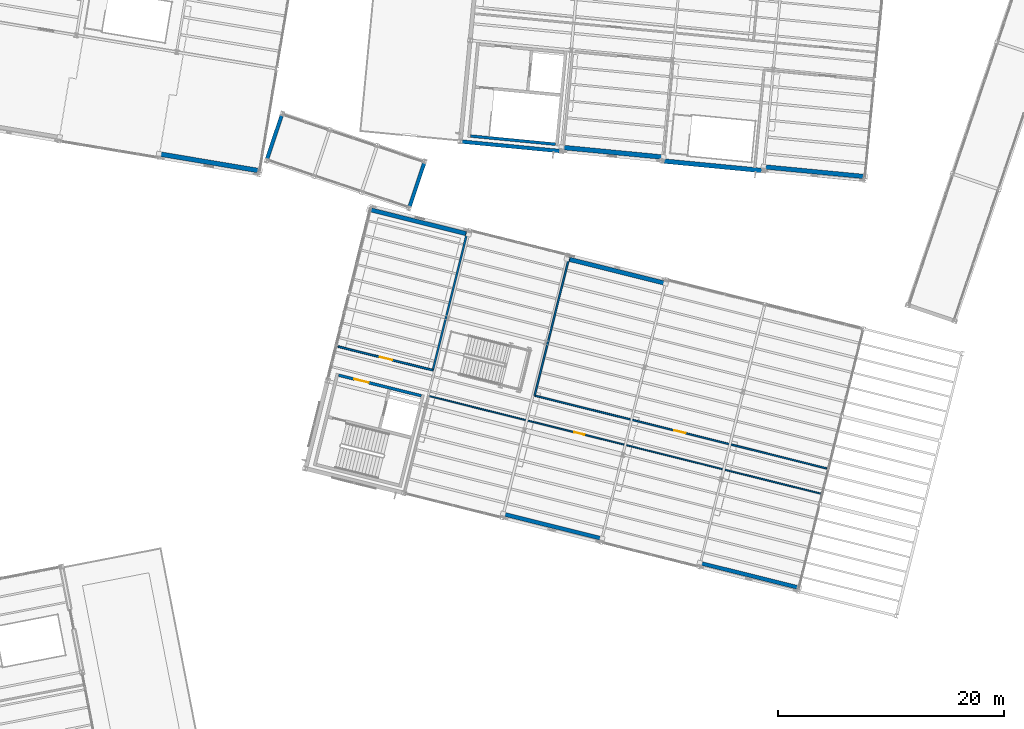
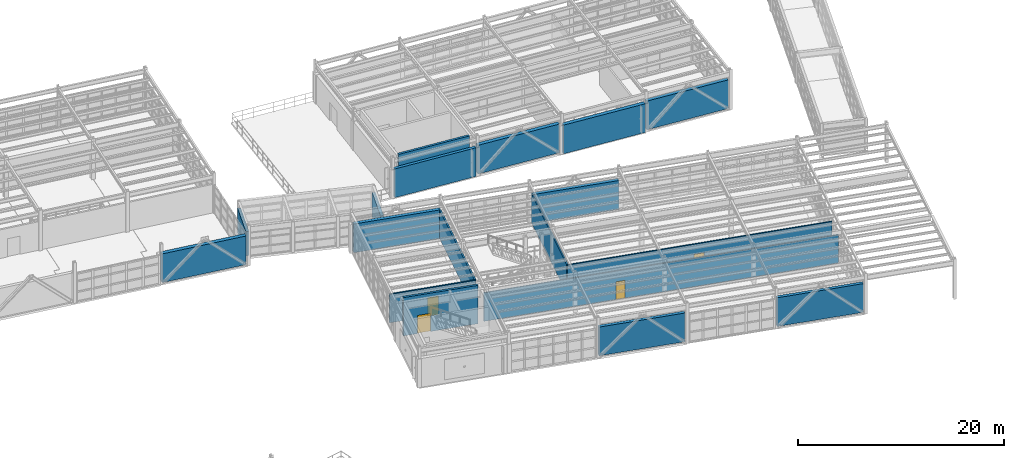
# One storey, part 86 of 102: 18 walls, 4 doors, 4 openings.
"""IFC4 building model written with IfcOpenShell, lengths in metres."""

from ifc_helpers import new_model, si_unit, direction, frame, frame_2d, origin, origin_with_axes, place, context, subcontext, project, spatial, rectangle, extrude, material, layer, layer_set, type_object, element, fill, save


model = new_model("IFC4")

# Units and contexts
model_context = context("Model", 3, precision=1e-05, world=origin(), true_north=direction((0.0, 1.0)))
body_context = subcontext(model_context, "Body", "Model", "MODEL_VIEW")
ifc_project = project(units=[si_unit("LENGTHUNIT", "METRE"), si_unit("AREAUNIT", "SQUARE_METRE"), si_unit("VOLUMEUNIT", "CUBIC_METRE"), si_unit("PLANEANGLEUNIT", "RADIAN"), si_unit("MASSUNIT", "GRAM", prefix="KILO")], contexts=[model_context])

# Site, building, storey
site_placement = place(None, origin())
site = spatial("IfcSite", under=ifc_project, at=site_placement, CompositionType="ELEMENT")
building_placement = place(site_placement, origin())
building = spatial("IfcBuilding", under=site, at=building_placement, Name="Vireo Bluff Cable Station", CompositionType="ELEMENT")
storey_placement = place(building_placement, frame((0.0, 0.0, 9.60009765625)))
storey = spatial("IfcBuildingStorey", under=building, at=storey_placement, Name="L02", CompositionType="ELEMENT", Elevation=9.60009765625)

# Walls
ifc_material_1 = material(Name="Precast concrete f'c 45 MPa", Category="concrete")
ifc_layer_1 = layer(ifc_material_1, 0.330078125, Name="Precast concrete f'c 45 MPa")
ifc_layer_set_1 = layer_set([ifc_layer_1], Name="Precast concrete f'c 45 MPa")
wall_type_1 = type_object("IfcWallType", Name="EW-PRECAST-330", PredefinedType="SOLIDWALL", material=ifc_layer_set_1)
wall_1_placement = place(storey_placement, frame((76.538818359375, 66.156494140625, 0.0), z_axis=(0.0, 0.0, 1.0), x_axis=(-0.995397794476, 0.095829174848, 0.0)))
element("IfcWall", 1, at=wall_1_placement, inside=storey, type_object=wall_type_1, Name="V3 L02 south exterior wall 60", PredefinedType="SOLIDWALL", context=body_context, shape_type="SweptSolid", body=[
    extrude(rectangle(XDim=8.68505859375, YDim=0.330078125, at=frame_2d((4.342529296875, 0.0))), origin(), (0.0, 0.0, 1.0), 3.39990234375),
])
for number, where, z_axis, x_axis, name in (
    (2, (50.60595703125, 65.473876953125, 0.0), (0.0, 0.0, 1.0), (0.317964218036, 0.948102713871, 0.0), "Skybridge CABIN-TRANSFER-END-A end wall"),
    (3, (63.236083984375, 61.23828125, 0.0), (0.0, 0.0, 1.0), (0.317910002205, 0.948120894453, 0.0), "Skybridge CABIN-TRANSFER-END-B end wall"),
):
    element("IfcWall", number, at=place(storey_placement, frame(where, z_axis=z_axis, x_axis=x_axis)), inside=storey, type_object=wall_type_1, Name=name, PredefinedType="SOLIDWALL", context=body_context, shape_type="SweptSolid", body=[
        extrude(rectangle(XDim=4.0478515625, YDim=0.330078125, at=frame_2d((2.02392578125, 0.0))), origin(), (0.0, 0.0, 1.0), 2.8798828125),
    ])
ifc_layer_2 = layer(ifc_material_1, 0.340087890625, Name="Precast concrete f'c 45 MPa")
ifc_layer_set_2 = layer_set([ifc_layer_2], Name="Precast concrete f'c 45 MPa")
wall_type_2 = type_object("IfcWallType", Name="EW-PRECAST-340", PredefinedType="SOLIDWALL", material=ifc_layer_set_2)
wall_2_placement = place(storey_placement, frame((97.59375, 27.481201171875, 0.0), z_axis=(0.0, 0.0, 1.0), x_axis=(-0.970290636374, 0.241942309168, 0.0)))
element("IfcWall", 4, at=wall_2_placement, inside=storey, type_object=wall_type_2, Name="V1 L02 south exterior wall 11", PredefinedType="SOLIDWALL", context=body_context, shape_type="SweptSolid", body=[
    extrude(rectangle(XDim=8.71435546875, YDim=0.340087890625, at=frame_2d((4.357177734375, 0.0))), origin(), (0.0, 0.0, 1.0), 3.39990234375),
])
ifc_layer_3 = layer(ifc_material_1, 0.35009765625, Name="Precast concrete f'c 45 MPa")
ifc_layer_set_3 = layer_set([ifc_layer_3], Name="Precast concrete f'c 45 MPa")
wall_type_3 = type_object("IfcWallType", Name="EW-PRECAST-350", PredefinedType="SOLIDWALL", material=ifc_layer_set_3)
wall_3_placement = place(storey_placement, frame((80.12841796875, 31.8359375, 0.0), z_axis=(0.0, 0.0, 1.0), x_axis=(-0.970296051498, 0.241920591203, 0.0)))
element("IfcWall", 5, at=wall_3_placement, inside=storey, type_object=wall_type_3, Name="V1 L02 south exterior wall 12", PredefinedType="SOLIDWALL", context=body_context, shape_type="SweptSolid", body=[
    extrude(rectangle(XDim=8.68701171875, YDim=0.35009765625, at=frame_2d((4.343505859375, 0.0))), origin(), (0.0, 0.0, 1.0), 3.39990234375),
])
ifc_layer_4 = layer(ifc_material_1, 0.3798828125, Name="Precast concrete f'c 45 MPa")
ifc_layer_set_4 = layer_set([ifc_layer_4], Name="Precast concrete f'c 45 MPa")
wall_type_4 = type_object("IfcWallType", Name="EW-PRECAST-380", PredefinedType="SOLIDWALL", material=ifc_layer_set_4)
wall_4_placement = place(storey_placement, frame((59.82470703125, 60.93212890625, 0.0), z_axis=(0.0, 0.0, 1.0), x_axis=(0.970296803408, -0.241917575416, 0.0)))
element("IfcWall", 6, at=wall_4_placement, inside=storey, type_object=wall_type_4, Name="V1 L02 north exterior wall 15", PredefinedType="SOLIDWALL", context=body_context, shape_type="SweptSolid", body=[
    extrude(rectangle(XDim=8.737548828125, YDim=0.3798828125, at=frame_2d((4.36865234375, 0.0))), origin(), (0.0, 0.0, 1.0), 3.39990234375),
])
ifc_layer_5 = layer(ifc_material_1, 0.389892578125, Name="Precast concrete f'c 45 MPa")
ifc_layer_set_5 = layer_set([ifc_layer_5], Name="Precast concrete f'c 45 MPa")
wall_type_5 = type_object("IfcWallType", Name="EW-PRECAST-390", PredefinedType="SOLIDWALL", material=ifc_layer_set_5)
wall_5_placement = place(storey_placement, frame((77.343017578125, 56.564208984375, 0.0), z_axis=(0.0, 0.0, 1.0), x_axis=(0.970296122612, -0.241920305977, 0.0)))
element("IfcWall", 7, at=wall_5_placement, inside=storey, type_object=wall_type_5, Name="V1 L02 north exterior wall 16", PredefinedType="SOLIDWALL", context=body_context, shape_type="SweptSolid", body=[
    extrude(rectangle(XDim=8.682861328125, YDim=0.389892578125, at=frame_2d((4.34130859375, 0.0))), origin(), (0.0, 0.0, 1.0), 3.39990234375),
])
ifc_layer_6 = layer(ifc_material_1, 0.39990234375, Name="Precast concrete f'c 45 MPa")
ifc_layer_set_6 = layer_set([ifc_layer_6], Name="Precast concrete f'c 45 MPa")
wall_type_6 = type_object("IfcWallType", Name="EW-PRECAST-400", PredefinedType="SOLIDWALL", material=ifc_layer_set_6)
wall_6_placement = place(storey_placement, frame((103.44921875, 63.906982421875, 0.0), z_axis=(0.0, 0.0, 1.0), x_axis=(-0.995397794476, 0.095829174848, 0.0)))
element("IfcWall", 8, at=wall_6_placement, inside=storey, type_object=wall_type_6, Name="V3 L02 south exterior wall 57", PredefinedType="SOLIDWALL", context=body_context, shape_type="SweptSolid", body=[
    extrude(rectangle(XDim=8.68505859375, YDim=0.39990234375, at=frame_2d((4.342529296875, 0.0))), origin(), (0.0, 0.0, 1.0), 3.39990234375),
])
ifc_layer_7 = layer(ifc_material_1, 0.409912109375, Name="Precast concrete f'c 45 MPa")
ifc_layer_set_7 = layer_set([ifc_layer_7], Name="Precast concrete f'c 45 MPa")
wall_type_7 = type_object("IfcWallType", Name="EW-PRECAST-410", PredefinedType="SOLIDWALL", material=ifc_layer_set_7)
wall_7_placement = place(storey_placement, frame((94.4560546875, 64.43115234375, 0.0), z_axis=(0.0, 0.0, 1.0), x_axis=(-0.99539453955, 0.09586297843, 0.0)))
element("IfcWall", 9, at=wall_7_placement, inside=storey, type_object=wall_type_7, Name="V3 L02 south exterior wall 58", PredefinedType="SOLIDWALL", context=body_context, shape_type="SweptSolid", body=[
    extrude(rectangle(XDim=8.71240234375, YDim=0.409912109375, at=frame_2d((4.356201171875, 0.0))), origin(), (0.0, 0.0, 1.0), 3.39990234375),
])
ifc_layer_8 = layer(ifc_material_1, 0.419921875, Name="Precast concrete f'c 45 MPa")
ifc_layer_set_8 = layer_set([ifc_layer_8], Name="Precast concrete f'c 45 MPa")
wall_type_8 = type_object("IfcWallType", Name="EW-PRECAST-420", PredefinedType="SOLIDWALL", material=ifc_layer_set_8)
wall_8_placement = place(storey_placement, frame((85.559326171875, 65.62939453125, 0.0), z_axis=(0.0, 0.0, 1.0), x_axis=(-0.99539453955, 0.09586297843, 0.0)))
element("IfcWall", 10, at=wall_8_placement, inside=storey, type_object=wall_type_8, Name="V3 L02 south exterior wall 59", PredefinedType="SOLIDWALL", context=body_context, shape_type="SweptSolid", body=[
    extrude(rectangle(XDim=8.71240234375, YDim=0.419921875, at=frame_2d((4.356201171875, 0.0))), origin(), (0.0, 0.0, 1.0), 3.39990234375),
])
wall_9_placement = place(storey_placement, frame((49.78271484375, 64.434326171875, 0.0), z_axis=(0.0, 0.0, 1.0), x_axis=(-0.986285390559, 0.165048866614, 0.0)))
element("IfcWall", 11, at=wall_9_placement, inside=storey, type_object=wall_type_8, Name="V4 L02 south exterior wall 79", PredefinedType="SOLIDWALL", context=body_context, shape_type="SweptSolid", body=[
    extrude(rectangle(XDim=8.7109375, YDim=0.419921875, at=frame_2d((4.35546875, 0.0))), origin(), (0.0, 0.0, 1.0), 3.39990234375),
])

# Wall, opening, door
ifc_material_2 = material(Name="Fire-Rated Gypsum Board Partition")
ifc_layer_9 = layer(ifc_material_2, 0.1201171875, Name="Fire-Rated Gypsum Board Partition")
ifc_layer_set_9 = layer_set([ifc_layer_9], Name="Fire-Rated Gypsum Board Partition")
wall_type_9 = type_object("IfcWallType", Name="PT-1HR-120", PredefinedType="PARTITIONING", material=ifc_layer_set_9)
wall_10_placement = place(storey_placement, frame((64.934326171875, 44.4462890625, 0.0), z_axis=(0.0, 0.0, 1.0), x_axis=(0.970295231882, -0.241923878498, 0.0)))
wall_10 = element("IfcWall", 12, at=wall_10_placement, inside=storey, type_object=wall_type_9, Name="V1 L02 Fare-Gate Concourse Mezzanine N partition", PredefinedType="PARTITIONING", context=body_context, shape_type="SweptSolid", body=[
    extrude(rectangle(XDim=35.77978515625, YDim=0.1201171875, at=frame_2d((17.889892578125, 0.0))), origin(), (0.0, 0.0, 1.0), 3.3798828125),
])
opening_1_placement = place(wall_10_placement, frame((13.305419921875, 0.0, 0.0)))
opening_1 = element("IfcOpeningElement", 13, at=opening_1_placement, cuts=wall_10, Name="Opening D-0045", PredefinedType="OPENING", context=body_context, shape_type="SweptSolid", body=[
    extrude(rectangle(XDim=0.919921875, YDim=2.1201171875, at=frame_2d((0.4599609375, 1.06005859375))), frame((0.0, 0.070068359375, 0.0), z_axis=(0.0, -1.0, 0.0), x_axis=(1.0, 0.0, 0.0)), (0.0, 0.0, 1.0), 0.14013671875),
])
ifc_material_3 = material(Name="Anodized Aluminium 6063-T6", Category="aluminium")
door_type_1 = type_object("IfcDoorType", Name="IDOOR60-920X2120", OperationType="NOTDEFINED", PredefinedType="DOOR", material=ifc_material_3)
door_1_placement = place(opening_1_placement, origin_with_axes())
door_1 = element("IfcDoor", 14, at=door_1_placement, inside=storey, type_object=door_type_1, Name="V1 L02 Fare-Gate Concourse Mezzanine door D-0045", OperationType="SINGLE_SWING_RIGHT", OverallHeight=2.1201171875, OverallWidth=0.919921875, PredefinedType="DOOR", context=body_context, shape_type="SweptSolid", body=[
    extrude(rectangle(XDim=0.919921875, YDim=2.1201171875, at=frame_2d((0.4599609375, 1.06005859375))), frame((0.0, 0.02490234375, 0.0), z_axis=(0.0, -1.0, 0.0), x_axis=(1.0, 0.0, 0.0)), (0.0, 0.0, 1.0), 0.050048828125),
])
fill(opening_1, door_1)

ifc_layer_10 = layer(ifc_material_2, 0.139892578125, Name="Fire-Rated Gypsum Board Partition")
ifc_layer_set_10 = layer_set([ifc_layer_10], Name="Fire-Rated Gypsum Board Partition")
wall_type_10 = type_object("IfcWallType", Name="PT-1HR-140", PredefinedType="PARTITIONING", material=ifc_layer_set_10)
wall_11_placement = place(storey_placement, frame((100.207763671875, 38.02197265625, 0.0), z_axis=(0.0, 0.0, 1.0), x_axis=(-0.970296789058, 0.241917632973, 0.0)))
wall_11 = element("IfcWall", 15, at=wall_11_placement, inside=storey, type_object=wall_type_10, Name="V1 L02 Pre-Boarding Queue Hall S partition", PredefinedType="PARTITIONING", context=body_context, shape_type="SweptSolid", body=[
    extrude(rectangle(XDim=26.679931640625, YDim=0.139892578125, at=frame_2d((13.33984375, 0.0))), origin(), (0.0, 0.0, 1.0), 3.3798828125),
])
opening_2_placement = place(wall_11_placement, frame((12.89501953125, 0.0, 0.0)))
opening_2 = element("IfcOpeningElement", 16, at=opening_2_placement, cuts=wall_11, Name="Opening D-0046", PredefinedType="OPENING", context=body_context, shape_type="SweptSolid", body=[
    extrude(rectangle(XDim=1.02001953125, YDim=2.179931640625, at=frame_2d((0.510009765625, 1.08984375))), frame((0.0, 0.080078125, 0.0), z_axis=(0.0, -1.0, 0.0), x_axis=(1.0, 0.0, 0.0)), (0.0, 0.0, 1.0), 0.159912109375),
])
door_type_2 = type_object("IfcDoorType", Name="IDOOR60-1020X2180", OperationType="NOTDEFINED", PredefinedType="DOOR", material=ifc_material_3)
door_2_placement = place(opening_2_placement, origin_with_axes())
door_2 = element("IfcDoor", 17, at=door_2_placement, inside=storey, type_object=door_type_2, Name="V1 L02 Pre-Boarding Queue Hall door D-0046", OperationType="SINGLE_SWING_LEFT", OverallHeight=2.179931640625, OverallWidth=1.02001953125, PredefinedType="DOOR", context=body_context, shape_type="SweptSolid", body=[
    extrude(rectangle(XDim=1.02001953125, YDim=2.179931640625, at=frame_2d((0.510009765625, 1.08984375))), frame((0.0, 0.02490234375, 0.0), z_axis=(0.0, -1.0, 0.0), x_axis=(1.0, 0.0, 0.0)), (0.0, 0.0, 1.0), 0.050048828125),
])
fill(opening_2, door_2)

# Wall
ifc_layer_11 = layer(ifc_material_2, 0.14990234375, Name="Fire-Rated Gypsum Board Partition")
ifc_layer_set_11 = layer_set([ifc_layer_11], Name="Fire-Rated Gypsum Board Partition")
wall_type_11 = type_object("IfcWallType", Name="PT-1HR-150", PredefinedType="PARTITIONING", material=ifc_layer_set_11)
wall_12_placement = place(storey_placement, frame((74.3203125, 44.476318359375, 0.0), z_axis=(0.0, 0.0, 1.0), x_axis=(0.24193520923, 0.970292406718, 0.0)))
element("IfcWall", 18, at=wall_12_placement, inside=storey, type_object=wall_type_11, Name="V1 L02 Pre-Boarding Queue Hall W partition", PredefinedType="PARTITIONING", context=body_context, shape_type="SweptSolid", body=[
    extrude(rectangle(XDim=12.630126953125, YDim=0.14990234375, at=frame_2d((6.31494140625, 0.0))), origin(), (0.0, 0.0, 1.0), 3.3798828125),
])

# Wall, opening, door
ifc_layer_12 = layer(ifc_material_2, 0.1650390625, Name="Fire-Rated Gypsum Board Partition")
ifc_layer_set_12 = layer_set([ifc_layer_12], Name="Fire-Rated Gypsum Board Partition")
wall_type_12 = type_object("IfcWallType", Name="PT-1HR-165", PredefinedType="PARTITIONING", material=ifc_layer_set_12)
wall_13_placement = place(storey_placement, frame((65.296630859375, 46.726318359375, 0.0), z_axis=(0.0, 0.0, 1.0), x_axis=(-0.970296175991, 0.241920091883, 0.0)))
wall_13 = element("IfcWall", 19, at=wall_13_placement, inside=storey, type_object=wall_type_12, Name="V1 L02 First Aid and Mountain Rescue Station S partition", PredefinedType="PARTITIONING", context=body_context, shape_type="SweptSolid", body=[
    extrude(rectangle(XDim=8.679931640625, YDim=0.1650390625, at=frame_2d((4.33984375, 0.0))), origin(), (0.0, 0.0, 1.0), 3.3798828125),
])
opening_3_placement = place(wall_13_placement, frame((3.715087890625, 0.0, 0.0)))
opening_3 = element("IfcOpeningElement", 20, at=opening_3_placement, cuts=wall_13, Name="Opening D-0047", PredefinedType="OPENING", context=body_context, shape_type="SweptSolid", body=[
    extrude(rectangle(XDim=1.1201171875, YDim=2.179931640625, at=frame_2d((0.56005859375, 1.08984375))), frame((0.0, 0.092529296875, 0.0), z_axis=(0.0, -1.0, 0.0), x_axis=(1.0, 0.0, 0.0)), (0.0, 0.0, 1.0), 0.18505859375),
])
door_type_3 = type_object("IfcDoorType", Name="IDOOR60-1120X2180", OperationType="NOTDEFINED", PredefinedType="DOOR", material=ifc_material_3)
door_3_placement = place(opening_3_placement, origin_with_axes())
door_3 = element("IfcDoor", 21, at=door_3_placement, inside=storey, type_object=door_type_3, Name="V1 L02 First Aid and Mountain Rescue Station door D-0047", OperationType="SINGLE_SWING_RIGHT", OverallHeight=2.179931640625, OverallWidth=1.1201171875, PredefinedType="DOOR", context=body_context, shape_type="SweptSolid", body=[
    extrude(rectangle(XDim=1.1201171875, YDim=2.179931640625, at=frame_2d((0.56005859375, 1.08984375))), frame((0.0, 0.02490234375, 0.0), z_axis=(0.0, -1.0, 0.0), x_axis=(1.0, 0.0, 0.0)), (0.0, 0.0, 1.0), 0.050048828125),
])
fill(opening_3, door_3)

# Walls
ifc_layer_13 = layer(ifc_material_2, 0.175048828125, Name="Fire-Rated Gypsum Board Partition")
ifc_layer_set_13 = layer_set([ifc_layer_13], Name="Fire-Rated Gypsum Board Partition")
wall_type_13 = type_object("IfcWallType", Name="PT-1HR-175", PredefinedType="PARTITIONING", material=ifc_layer_set_13)
wall_14_placement = place(storey_placement, frame((68.35205078125, 58.981201171875, 0.0), z_axis=(0.0, 0.0, 1.0), x_axis=(-0.241917010468, -0.970296944263, 0.0)))
element("IfcWall", 22, at=wall_14_placement, inside=storey, type_object=wall_type_13, Name="V1 L02 First Aid and Mountain Rescue Station E partition", PredefinedType="PARTITIONING", context=body_context, shape_type="SweptSolid", body=[
    extrude(rectangle(XDim=12.630126953125, YDim=0.175048828125, at=frame_2d((6.31494140625, 0.0))), origin(), (0.0, 0.0, 1.0), 3.3798828125),
])
ifc_material_4 = material(Name="Concrete f'c 40 MPa", Category="concrete")
ifc_layer_14 = layer(ifc_material_4, 0.25, Name="Concrete f'c 40 MPa")
ifc_layer_set_14 = layer_set([ifc_layer_14], Name="Concrete f'c 40 MPa")
wall_type_14 = type_object("IfcWallType", Name="SW-CORE-250", PredefinedType="SHEAR", material=ifc_layer_set_14)
wall_15_placement = place(storey_placement, frame((68.638427734375, 67.48486328125, 0.0), z_axis=(0.0, 0.0, 1.0), x_axis=(0.995396104215, -0.095846730326, 0.0)))
element("IfcWall", 23, at=wall_15_placement, inside=storey, type_object=wall_type_14, Name="CORE-1 L02 stair shaft south shear wall", PredefinedType="SHEAR", context=body_context, shape_type="SweptSolid", body=[
    extrude(rectangle(XDim=7.5498046875, YDim=0.25, at=frame_2d((3.77490234375, 0.0))), origin(), (0.0, 0.0, 1.0), 4.539794921875),
])

# Wall, opening, door
wall_16_placement = place(storey_placement, frame((64.267333984375, 44.4580078125, 0.0), z_axis=(0.0, 0.0, 1.0), x_axis=(-0.97029827707, 0.241911664693, 0.0)))
wall_16 = element("IfcWall", 24, at=wall_16_placement, inside=storey, type_object=wall_type_14, Name="CORE-2 L02 core north shear wall", PredefinedType="SHEAR", context=body_context, shape_type="SweptSolid", body=[
    extrude(rectangle(XDim=7.550048828125, YDim=0.25, at=frame_2d((3.77490234375, 0.0))), origin(), (0.0, 0.0, 1.0), 4.539794921875),
])
opening_4_placement = place(wall_16_placement, frame((4.800048828125, 0.0, 0.0)))
opening_4 = element("IfcOpeningElement", 25, at=opening_4_placement, cuts=wall_16, Name="Opening FD-012", PredefinedType="OPENING", context=body_context, shape_type="SweptSolid", body=[
    extrude(rectangle(XDim=1.300048828125, YDim=2.14990234375, at=frame_2d((0.64990234375, 1.074951171875))), frame((0.0, 0.135009765625, 0.0), z_axis=(0.0, -1.0, 0.0), x_axis=(1.0, 0.0, 0.0)), (0.0, 0.0, 1.0), 0.27001953125),
])
ifc_material_5 = material(Name="Stainless Steel 316", Category="steel")
door_type_4 = type_object("IfcDoorType", Name="IDOOR90-1300X2150", OperationType="NOTDEFINED", PredefinedType="DOOR", material=ifc_material_5)
door_4_placement = place(opening_4_placement, origin_with_axes())
door_4 = element("IfcDoor", 26, at=door_4_placement, inside=storey, type_object=door_type_4, Name="CORE-2 L02 firefighting lobby door FD-012", OperationType="SINGLE_SWING_LEFT", OverallHeight=2.14990234375, OverallWidth=1.300048828125, PredefinedType="DOOR", context=body_context, shape_type="SweptSolid", body=[
    extrude(rectangle(XDim=1.300048828125, YDim=2.14990234375, at=frame_2d((0.64990234375, 1.074951171875))), frame((0.0, 0.02490234375, 0.0), z_axis=(0.0, -1.0, 0.0), x_axis=(1.0, 0.0, 0.0)), (0.0, 0.0, 1.0), 0.050048828125),
])
fill(opening_4, door_4)

save(model, "model.ifc")
